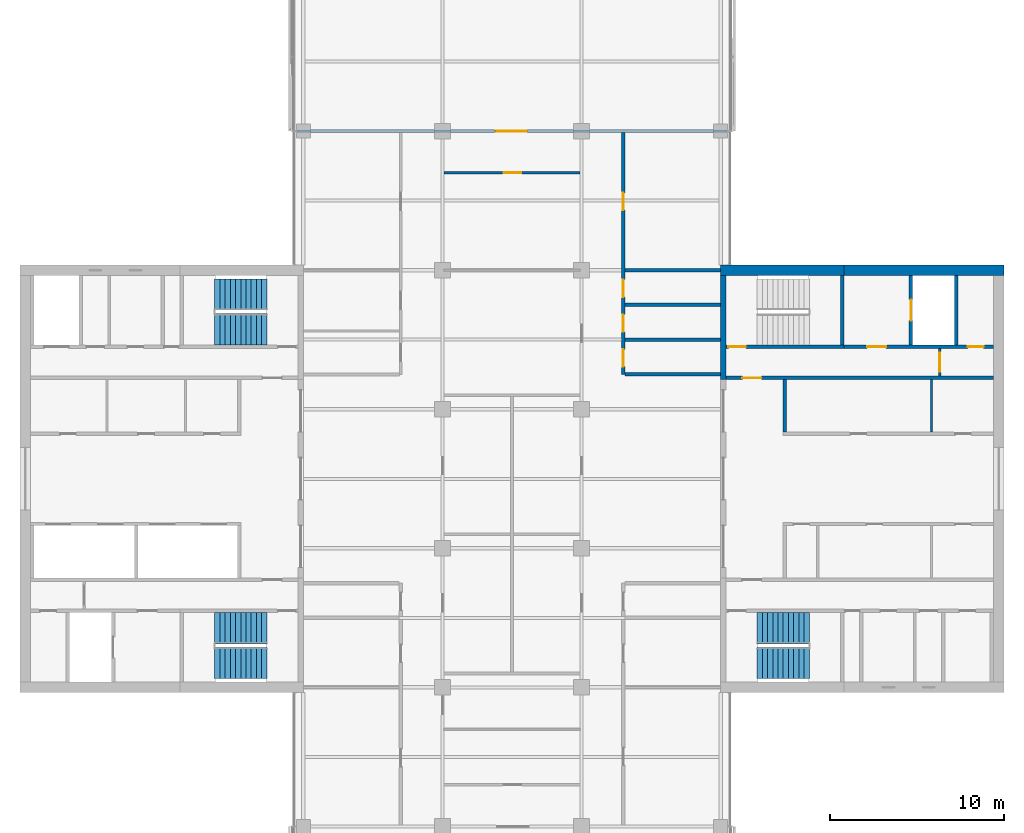
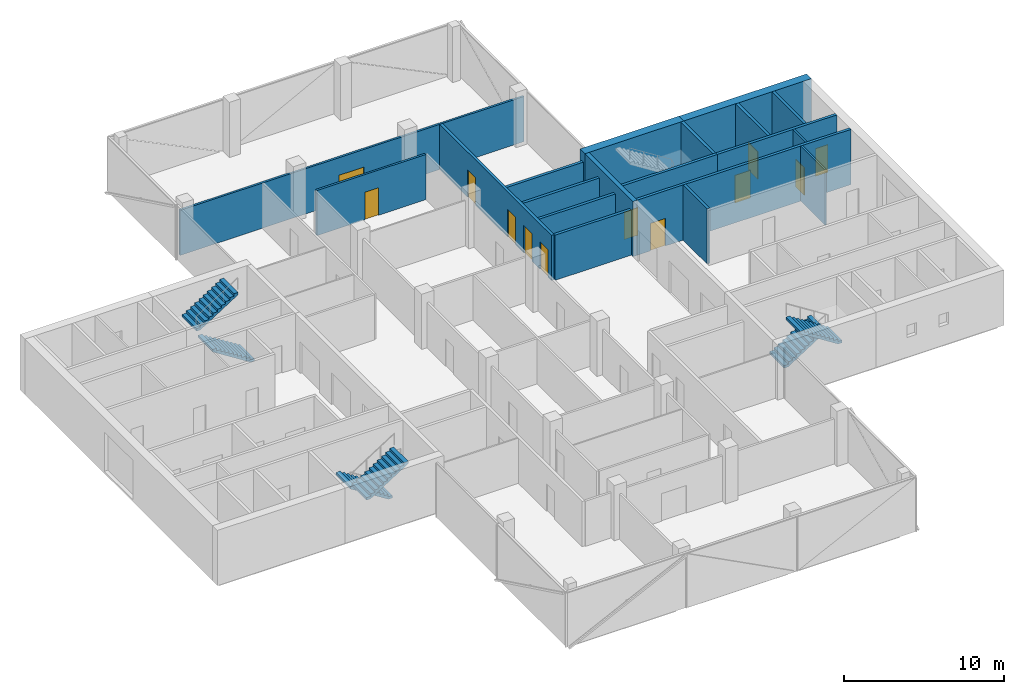
# One storey, part 12 of 16: 19 walls, 12 doors, 6 stair flights, 12 openings, 3 elements without a shape of their own.
"""IFC4 building model written with IfcOpenShell, lengths in metres."""

import ifcopenshell
import ifcopenshell.guid

model = None  # the IFC model being written
_history = None  # IfcOwnerHistory: only IFC2X3 demands one
_inside = {}  # id of a spatial element -> (the spatial element, [elements in it])
_under = {}  # id of a project, library or spatial element -> (it, [spatial elements below it])
_declared = {}  # id of a project -> (the project, [libraries it declares])
_typed = {}  # id of a type object -> (the type object, [elements of that type])
_made_of = {}  # id of a material, layer set ... -> (it, [elements and type objects made of it])


def new_model(schema):
    """Start an empty IFC model of exactly this schema.

    Asked for "IFC4X3", IfcOpenShell would pick the latest addendum, in which some entities
    have other attributes; the version numbers below select the first issue.
    IFC2X3 requires an IfcOwnerHistory on every rooted entity: one is made here for all.
    """
    global model, _history
    if schema == "IFC4X3":
        model = ifcopenshell.file(schema_version=(4, 3, 0, 0))
    else:
        model = ifcopenshell.file(schema=schema)
    _inside.clear()
    _under.clear()
    _declared.clear()
    _typed.clear()
    _made_of.clear()
    _history = None
    if model.schema == "IFC2X3":
        org = make("IfcOrganization", Name="unknown")
        user = make(
            "IfcPersonAndOrganization",
            ThePerson=make("IfcPerson", FamilyName="unknown"),
            TheOrganization=org,
        )
        app = make(
            "IfcApplication",
            ApplicationDeveloper=org,
            Version="unknown",
            ApplicationFullName="unknown",
            ApplicationIdentifier="unknown",
        )
        _history = make(
            "IfcOwnerHistory",
            OwningUser=user,
            OwningApplication=app,
            ChangeAction="ADDED",
            CreationDate=0,
        )
    return model


def make(cls, **values):
    """One entity of the class cls with the attributes given. An attribute that is None is left unset."""
    return model.create_entity(
        cls, **{name: value for name, value in values.items() if value is not None}
    )


def rooted(cls, **values):
    """An entity with a GlobalId (a new one), such as an element, a storey or a relation."""
    return make(cls, GlobalId=ifcopenshell.guid.new(), OwnerHistory=_history, **values)


def si_unit(unit_type, name, prefix=None):
    """IfcSIUnit, for example si_unit("LENGTHUNIT", "METRE", prefix="MILLI")."""
    return make("IfcSIUnit", UnitType=unit_type, Prefix=prefix, Name=name)


def assignment(units):
    """IfcUnitAssignment: the units of a project."""
    return None if units is None else make("IfcUnitAssignment", Units=units)


def point(xyz):
    """IfcCartesianPoint."""
    return None if xyz is None else make("IfcCartesianPoint", Coordinates=xyz)


def direction(xyz):
    """IfcDirection."""
    return None if xyz is None else make("IfcDirection", DirectionRatios=xyz)


def frame(location, z_axis=None, x_axis=None):
    """IfcAxis2Placement3D, a coordinate frame: its origin and axes. An axis left out is left unset."""
    return make(
        "IfcAxis2Placement3D",
        Location=point(location),
        Axis=direction(z_axis),
        RefDirection=direction(x_axis),
    )


def frame_2d(location, x_axis=None):
    """IfcAxis2Placement2D, a coordinate frame in the plane: its origin and x axis."""
    return make(
        "IfcAxis2Placement2D", Location=point(location), RefDirection=direction(x_axis)
    )


def origin():
    """The frame at (0, 0, 0) with its axes left unset."""
    return frame((0.0, 0.0, 0.0))


def place(relative_to, where):
    """IfcLocalPlacement: puts the frame where relative to a parent placement (None: the world)."""
    return make(
        "IfcLocalPlacement", PlacementRelTo=relative_to, RelativePlacement=where
    )


def context(
    kind, dimensions, precision=None, world=None, true_north=None, identifier=None
):
    """IfcGeometricRepresentationContext, for example the 3D "Model" context."""
    return make(
        "IfcGeometricRepresentationContext",
        ContextIdentifier=identifier,
        ContextType=kind,
        CoordinateSpaceDimension=dimensions,
        Precision=precision,
        WorldCoordinateSystem=world,
        TrueNorth=true_north,
    )


def subcontext(parent, identifier, kind, view, scale=None):
    """IfcGeometricRepresentationSubContext, for example "Body" below "Model"."""
    return make(
        "IfcGeometricRepresentationSubContext",
        ContextIdentifier=identifier,
        ContextType=kind,
        ParentContext=parent,
        TargetScale=scale,
        TargetView=view,
    )


def project(units=None, contexts=None):
    """IfcProject with its units and contexts."""
    return rooted(
        "IfcProject",
        Name="project",
        RepresentationContexts=contexts,
        UnitsInContext=assignment(units),
    )


def spatial(cls, under=None, at=None, **own):
    """A site, building, storey or space (cls), placed at a placement, below another one or the project."""
    s = rooted(cls, ObjectPlacement=at, **own)
    if under is not None:
        _under.setdefault(under.id(), (under, []))[1].append(s)
    return s


def polyline(points):
    """IfcPolyline through the points."""
    return make("IfcPolyline", Points=[point(p) for p in points])


def profile(cls, at=None, kind="AREA", **sizes):
    """A parametric profile (cls). Its sizes go by their IFC names, for example OverallWidth=200.0."""
    return make(cls, ProfileType=kind, Position=at, **sizes)


def rectangle(**sizes):
    """IfcRectangleProfileDef."""
    return profile("IfcRectangleProfileDef", **sizes)


def outline(outer, holes=None, kind="AREA"):
    """IfcArbitraryClosedProfileDef: a profile drawn as a closed curve; with holes, ...WithVoids."""
    if holes is None:
        return make("IfcArbitraryClosedProfileDef", ProfileType=kind, OuterCurve=outer)
    return make(
        "IfcArbitraryProfileDefWithVoids",
        ProfileType=kind,
        OuterCurve=outer,
        InnerCurves=holes,
    )


def extrude(swept, where, along, depth):
    """IfcExtrudedAreaSolid: the profile swept, set in the frame where, extruded along a direction by depth."""
    return make(
        "IfcExtrudedAreaSolid",
        SweptArea=swept,
        Position=where,
        ExtrudedDirection=direction(along),
        Depth=depth,
    )


def shape(context_of_items, identifier, shape_type, items):
    """IfcShapeRepresentation: the items that make up one representation, for example the "Body"."""
    return make(
        "IfcShapeRepresentation",
        ContextOfItems=context_of_items,
        RepresentationIdentifier=identifier,
        RepresentationType=shape_type,
        Items=items,
    )


def material(Name=None, Category=None):
    """IfcMaterial."""
    return make("IfcMaterial", Name=Name, Category=Category)


def layer(
    of_material, thickness, ventilated=None, Name=None, Category=None, Priority=None
):
    """IfcMaterialLayer: one layer of a wall or slab, of a material (None: an air gap)."""
    return make(
        "IfcMaterialLayer",
        Material=of_material,
        LayerThickness=thickness,
        IsVentilated=ventilated,
        Name=Name,
        Category=Category,
        Priority=Priority,
    )


def layer_set(layers, Name=None):
    """IfcMaterialLayerSet."""
    return make("IfcMaterialLayerSet", MaterialLayers=layers, LayerSetName=Name)


def constituent(of_material, Name=None, Category=None, fraction=None):
    """IfcMaterialConstituent: one of the materials an element consists of."""
    return make(
        "IfcMaterialConstituent",
        Name=Name,
        Material=of_material,
        Fraction=fraction,
        Category=Category,
    )


def constituent_set(constituents=None, Name=None):
    """IfcMaterialConstituentSet."""
    return make(
        "IfcMaterialConstituentSet", Name=Name, MaterialConstituents=constituents
    )


def made_of(thing, what):
    """Note that an element or type object is made of a material, layer set ...; save() writes the relation."""
    if what is not None:
        _made_of.setdefault(what.id(), (what, []))[1].append(thing)
    return thing


def type_object(cls, material=None, **own):
    """A type object (cls), such as IfcWallType, which elements share."""
    return made_of(rooted(cls, **own), material)


def element(
    cls,
    number,
    at=None,
    inside=None,
    cuts=None,
    type_object=None,
    material=None,
    context=None,
    identifier="Body",
    shape_type=None,
    held_by="IfcProductDefinitionShape",
    body=None,
    shapes=None,
    **own,
):
    """One element of the class cls, such as IfcWall. Its Tag is "e" and its number.

    at: its placement. inside: the storey or other place that contains it. cuts: it is an
    opening in that element (IfcRelVoidsElement). A single representation is given by context,
    identifier, shape_type and body (its items); several are given by shapes. held_by: the class
    of the entity that holds the representations. save() writes the other relations.
    """
    e = rooted(cls, Tag="e%d" % number, ObjectPlacement=at, **own)
    if body is not None:
        shapes = [shape(context, identifier, shape_type, body)]
    if shapes is not None:
        e.Representation = make(held_by, Representations=shapes)
    if inside is not None:
        _inside.setdefault(inside.id(), (inside, []))[1].append(e)
    if cuts is not None:
        rooted(
            "IfcRelVoidsElement", RelatingBuildingElement=cuts, RelatedOpeningElement=e
        )
    if type_object is not None:
        _typed.setdefault(type_object.id(), (type_object, []))[1].append(e)
    return made_of(e, material)


def fill(opening, filler):
    """IfcRelFillsElement: the door or window that sits in an opening."""
    return rooted(
        "IfcRelFillsElement",
        RelatingOpeningElement=opening,
        RelatedBuildingElement=filler,
    )


def aggregate(whole, parts):
    """IfcRelAggregates: a whole, such as a stair, and the parts it consists of."""
    return rooted("IfcRelAggregates", RelatingObject=whole, RelatedObjects=parts)


def save(model, path):
    """Write the relations noted so far, then the file.

    IfcRelAggregates (storeys below a building ...), IfcRelContainedInSpatialStructure (elements
    in a storey), IfcRelDefinesByType, IfcRelAssociatesMaterial and IfcRelDeclares: one each for
    every whole, place, type object, material and project.
    """
    for whole, parts in _under.values():
        aggregate(whole, parts)
    for where, things in _inside.values():
        rooted(
            "IfcRelContainedInSpatialStructure",
            RelatedElements=things,
            RelatingStructure=where,
        )
    for kind, things in _typed.values():
        rooted("IfcRelDefinesByType", RelatedObjects=things, RelatingType=kind)
    for what, things in _made_of.values():
        rooted("IfcRelAssociatesMaterial", RelatedObjects=things, RelatingMaterial=what)
    for by, libraries in _declared.values():
        rooted("IfcRelDeclares", RelatingContext=by, RelatedDefinitions=libraries)
    model.write(path)


model = new_model("IFC4")

# Units and contexts
model_context = context("Model", 3, precision=1e-05, world=origin(), true_north=direction((0.0, 1.0)))
body_context = subcontext(model_context, "Body", "Model", "MODEL_VIEW")
ifc_project = project(units=[si_unit("LENGTHUNIT", "METRE"), si_unit("AREAUNIT", "SQUARE_METRE"), si_unit("VOLUMEUNIT", "CUBIC_METRE"), si_unit("PLANEANGLEUNIT", "RADIAN"), si_unit("MASSUNIT", "GRAM", prefix="KILO")], contexts=[model_context])

# Site, building, storey
site_placement = place(None, origin())
site = spatial("IfcSite", under=ifc_project, at=site_placement, CompositionType="ELEMENT")
building_placement = place(site_placement, origin())
building = spatial("IfcBuilding", under=site, at=building_placement, Name="Crosswind Convention Tower", CompositionType="ELEMENT")
storey_placement = place(building_placement, frame((0.0, 0.0, 212.5)))
storey = spatial("IfcBuildingStorey", under=building, at=storey_placement, Name="L45", CompositionType="ELEMENT", Elevation=212.5)

# Wall, openings, doors
ifc_material_1 = material(Name="Concrete blockwork", Category="masonry")
ifc_layer_1 = layer(ifc_material_1, 0.199951171875)
ifc_layer_set_1 = layer_set([ifc_layer_1], Name="COMPARTMENT WALL 200 BLOCKWORK")
wall_type_1 = type_object("IfcWallType", Name="COMPARTMENT WALL 200 BLOCKWORK", PredefinedType="SOLIDWALL", material=ifc_layer_set_1)
wall_1_placement = place(storey_placement, frame((131.39990234375, 106.0, 0.0), z_axis=(0.0, 0.0, 1.0), x_axis=(0.0, 1.0, 0.0)))
wall_1 = element("IfcWall", 1, at=wall_1_placement, inside=storey, type_object=wall_type_1, Name="Compartment wall WT42", PredefinedType="SOLIDWALL", context=body_context, shape_type="SweptSolid", body=[
    extrude(rectangle(XDim=13.925048828125, YDim=0.199951171875, at=frame_2d((6.96240234375, 0.0))), origin(), (0.0, 0.0, 1.0), 3.439697265625),
])
opening_1_placement = place(wall_1_placement, frame((0.449951171875, 0.0, 0.0)))
opening_1 = element("IfcOpeningElement", 2, at=opening_1_placement, cuts=wall_1, Name="Opening L45-50", PredefinedType="OPENING", context=body_context, shape_type="SweptSolid", body=[
    extrude(rectangle(XDim=1.0, YDim=2.10009765625, at=frame_2d((0.5, 1.050048828125))), frame((0.0, 0.10986328125, 0.0), z_axis=(0.0, -1.0, 0.0), x_axis=(1.0, 0.0, 0.0)), (0.0, 0.0, 1.0), 0.219970703125),
])
opening_2_placement = place(wall_1_placement, frame((2.449951171875, 0.0, 0.0)))
opening_2 = element("IfcOpeningElement", 3, at=opening_2_placement, cuts=wall_1, Name="Opening L45-51", PredefinedType="OPENING", context=body_context, shape_type="SweptSolid", body=[
    extrude(rectangle(XDim=1.0, YDim=2.10009765625, at=frame_2d((0.5, 1.050048828125))), frame((0.0, 0.10986328125, 0.0), z_axis=(0.0, -1.0, 0.0), x_axis=(1.0, 0.0, 0.0)), (0.0, 0.0, 1.0), 0.219970703125),
])
opening_3_placement = place(wall_1_placement, frame((4.449951171875, 0.0, 0.0)))
opening_3 = element("IfcOpeningElement", 4, at=opening_3_placement, cuts=wall_1, Name="Opening L45-52", PredefinedType="OPENING", context=body_context, shape_type="SweptSolid", body=[
    extrude(rectangle(XDim=1.0, YDim=2.10009765625, at=frame_2d((0.5, 1.050048828125))), frame((0.0, 0.10986328125, 0.0), z_axis=(0.0, -1.0, 0.0), x_axis=(1.0, 0.0, 0.0)), (0.0, 0.0, 1.0), 0.219970703125),
])
opening_4_placement = place(wall_1_placement, frame((9.449951171875, 0.0, 0.0)))
opening_4 = element("IfcOpeningElement", 5, at=opening_4_placement, cuts=wall_1, Name="Opening L45-53", PredefinedType="OPENING", context=body_context, shape_type="SweptSolid", body=[
    extrude(rectangle(XDim=1.0, YDim=2.10009765625, at=frame_2d((0.5, 1.050048828125))), frame((0.0, 0.10986328125, 0.0), z_axis=(0.0, -1.0, 0.0), x_axis=(1.0, 0.0, 0.0)), (0.0, 0.0, 1.0), 0.219970703125),
])
ifc_material_2 = material(Name="Steel fire door", Category="steel")
door_type_1 = type_object("IfcDoorType", Name="PLANT ROOM DOOR 1000X2100 FD60", OperationType="NOTDEFINED", PredefinedType="DOOR", material=ifc_material_2)
door_1_placement = place(opening_1_placement, frame((1.0, 0.0, 0.0), z_axis=(0.0, 0.0, 1.0), x_axis=(-1.0, 0.0, 0.0)))
door_1 = element("IfcDoor", 6, at=door_1_placement, inside=storey, type_object=door_type_1, Name="Door L45-50", ObjectType="D43", OperationType="SINGLE_SWING_RIGHT", OverallHeight=2.10009765625, OverallWidth=1.0, PredefinedType="DOOR", context=body_context, shape_type="SweptSolid", body=[
    extrude(rectangle(XDim=1.0, YDim=2.10009765625, at=frame_2d((0.5, 1.050048828125))), frame((0.0, 0.02490234375, 0.0), z_axis=(0.0, -1.0, 0.0), x_axis=(1.0, 0.0, 0.0)), (0.0, 0.0, 1.0), 0.050048828125),
])
fill(opening_1, door_1)
door_2_placement = place(opening_3_placement, frame((1.0, 0.0, 0.0), z_axis=(0.0, 0.0, 1.0), x_axis=(-1.0, 0.0, 0.0)))
door_2 = element("IfcDoor", 7, at=door_2_placement, inside=storey, type_object=door_type_1, Name="Door L45-52", ObjectType="D43", OperationType="SINGLE_SWING_RIGHT", OverallHeight=2.10009765625, OverallWidth=1.0, PredefinedType="DOOR", context=body_context, shape_type="SweptSolid", body=[
    extrude(rectangle(XDim=1.0, YDim=2.10009765625, at=frame_2d((0.5, 1.050048828125))), frame((0.0, 0.02490234375, 0.0), z_axis=(0.0, -1.0, 0.0), x_axis=(1.0, 0.0, 0.0)), (0.0, 0.0, 1.0), 0.050048828125),
])
fill(opening_3, door_2)
ifc_material_3 = material(Name="Timber fire door", Category="wood")
door_type_2 = type_object("IfcDoorType", Name="TENANCY ENTRANCE DOOR 1000X2100 FD30S", OperationType="NOTDEFINED", PredefinedType="DOOR", material=ifc_material_3)
door_3_placement = place(opening_2_placement, frame((1.0, 0.0, 0.0), z_axis=(0.0, 0.0, 1.0), x_axis=(-1.0, 0.0, 0.0)))
door_3 = element("IfcDoor", 8, at=door_3_placement, inside=storey, type_object=door_type_2, Name="Door L45-51", ObjectType="D41", OperationType="SINGLE_SWING_RIGHT", OverallHeight=2.10009765625, OverallWidth=1.0, PredefinedType="DOOR", context=body_context, shape_type="SweptSolid", body=[
    extrude(rectangle(XDim=1.0, YDim=2.10009765625, at=frame_2d((0.5, 1.050048828125))), frame((0.0, 0.02490234375, 0.0), z_axis=(0.0, -1.0, 0.0), x_axis=(1.0, 0.0, 0.0)), (0.0, 0.0, 1.0), 0.050048828125),
])
fill(opening_2, door_3)
door_4_placement = place(opening_4_placement, frame((1.0, 0.0, 0.0), z_axis=(0.0, 0.0, 1.0), x_axis=(-1.0, 0.0, 0.0)))
door_4 = element("IfcDoor", 9, at=door_4_placement, inside=storey, type_object=door_type_2, Name="Door L45-53", ObjectType="D41", OperationType="SINGLE_SWING_RIGHT", OverallHeight=2.10009765625, OverallWidth=1.0, PredefinedType="DOOR", context=body_context, shape_type="SweptSolid", body=[
    extrude(rectangle(XDim=1.0, YDim=2.10009765625, at=frame_2d((0.5, 1.050048828125))), frame((0.0, 0.02490234375, 0.0), z_axis=(0.0, -1.0, 0.0), x_axis=(1.0, 0.0, 0.0)), (0.0, 0.0, 1.0), 0.050048828125),
])
fill(opening_4, door_4)

# Walls
for number, where, z_axis, x_axis, name in (
    (10, (131.5, 106.0, 0.0), (0.0, 0.0, 1.0), (1.0, 0.0, 0.0), "Compartment wall WT42"),
    (11, (131.5, 108.0, 0.0), (0.0, 0.0, 1.0), (1.0, 0.0, 0.0), "Compartment wall WT42"),
    (12, (131.5, 110.0, 0.0), (0.0, 0.0, 1.0), (1.0, 0.0, 0.0), "Compartment wall WT42"),
    (13, (131.5, 112.0, 0.0), (0.0, 0.0, 1.0), (1.0, 0.0, 0.0), "Compartment wall WT42"),
):
    element("IfcWall", number, at=place(storey_placement, frame(where, z_axis=z_axis, x_axis=x_axis)), inside=storey, type_object=wall_type_1, Name=name, PredefinedType="SOLIDWALL", context=body_context, shape_type="SweptSolid", body=[
        extrude(rectangle(XDim=5.5, YDim=0.199951171875, at=frame_2d((2.75, 0.0))), origin(), (0.0, 0.0, 1.0), 3.439697265625),
    ])
ifc_material_4 = material(Name="Concrete C50/60", Category="concrete")
ifc_layer_2 = layer(ifc_material_4, 0.300048828125)
ifc_layer_set_2 = layer_set([ifc_layer_2], Name="Concrete C50/60")
wall_type_2 = type_object("IfcWallType", Name="Concrete inner core wall 300", PredefinedType="SHEAR", material=ifc_layer_set_2)
wall_2_placement = place(storey_placement, frame((137.14990234375, 105.699951171875, 0.0), z_axis=(0.0, 0.0, 1.0), x_axis=(0.0, 1.0, 0.0)))
element("IfcWall", 14, at=wall_2_placement, inside=storey, type_object=wall_type_2, Name="Wall EP E L45", PredefinedType="SHEAR", context=body_context, shape_type="SweptSolid", body=[
    extrude(rectangle(XDim=6.0, YDim=0.300048828125, at=frame_2d((3.0, 0.0))), origin(), (0.0, 0.0, 1.0), 4.199951171875),
])
ifc_layer_3 = layer(ifc_material_4, 0.199951171875)
ifc_layer_set_3 = layer_set([ifc_layer_3], Name="Concrete C50/60")
wall_type_3 = type_object("IfcWallType", Name="Concrete shaft and stair wall 200", PredefinedType="SHEAR", material=ifc_layer_set_3)
wall_3_placement = place(storey_placement, frame((140.699951171875, 102.699951171875, 0.0), z_axis=(0.0, 0.0, 1.0), x_axis=(0.0, 1.0, 0.0)))
element("IfcWall", 15, at=wall_3_placement, inside=storey, type_object=wall_type_3, Name="Wall RPEND E L45", PredefinedType="SHEAR", context=body_context, shape_type="SweptSolid", body=[
    extrude(rectangle(XDim=3.0, YDim=0.199951171875, at=frame_2d((1.5, 0.0))), origin(), (0.0, 0.0, 1.0), 4.199951171875),
])

# Wall, opening, door
wall_4_placement = place(storey_placement, frame((137.300048828125, 105.800048828125, 0.0), z_axis=(0.0, 0.0, 1.0), x_axis=(1.0, 0.0, 0.0)))
wall_4 = element("IfcWall", 16, at=wall_4_placement, inside=storey, type_object=wall_type_3, Name="Wall HP E L45", PredefinedType="SHEAR", context=body_context, shape_type="SweptSolid", body=[
    extrude(rectangle(XDim=15.39990234375, YDim=0.199951171875, at=frame_2d((7.699951171875, 0.0))), origin(), (0.0, 0.0, 1.0), 4.199951171875),
])
opening_5_placement = place(wall_4_placement, frame((0.949951171875, 0.0, 0.0)))
opening_5 = element("IfcOpeningElement", 17, at=opening_5_placement, cuts=wall_4, Name="Opening D104", PredefinedType="OPENING", context=body_context, shape_type="SweptSolid", body=[
    extrude(rectangle(XDim=1.10009765625, YDim=2.10009765625, at=frame_2d((0.550048828125, 1.050048828125))), frame((0.0, 0.10986328125, 0.0), z_axis=(0.0, -1.0, 0.0), x_axis=(1.0, 0.0, 0.0)), (0.0, 0.0, 1.0), 0.219970703125),
])
door_type_3 = type_object("IfcDoorType", Name="Fire-rated single door 1100x2100", OperationType="NOTDEFINED", PredefinedType="DOOR", material=ifc_material_2)
door_5_placement = place(opening_5_placement, origin())
door_5 = element("IfcDoor", 18, at=door_5_placement, inside=storey, type_object=door_type_3, Name="Corridor door L45", ObjectType="D104", OperationType="SINGLE_SWING_LEFT", OverallHeight=2.10009765625, OverallWidth=1.10009765625, PredefinedType="DOOR", context=body_context, shape_type="SweptSolid", body=[
    extrude(rectangle(XDim=1.10009765625, YDim=2.10009765625, at=frame_2d((0.550048828125, 1.050048828125))), frame((0.0, 0.02490234375, 0.0), z_axis=(0.0, -1.0, 0.0), x_axis=(1.0, 0.0, 0.0)), (0.0, 0.0, 1.0), 0.050048828125),
])
fill(opening_5, door_5)

# Wall
wall_5_placement = place(storey_placement, frame((144.0, 107.699951171875, 0.0), z_axis=(0.0, 0.0, 1.0), x_axis=(0.0, 1.0, 0.0)))
element("IfcWall", 19, at=wall_5_placement, inside=storey, type_object=wall_type_3, Name="Wall PSE E L45", PredefinedType="SHEAR", context=body_context, shape_type="SweptSolid", body=[
    extrude(rectangle(XDim=4.0, YDim=0.199951171875, at=frame_2d((2.0, 0.0))), origin(), (0.0, 0.0, 1.0), 4.199951171875),
])

# Wall, opening, door
wall_6_placement = place(storey_placement, frame((147.949951171875, 107.699951171875, 0.0), z_axis=(0.0, 0.0, 1.0), x_axis=(0.0, 1.0, 0.0)))
wall_6 = element("IfcWall", 20, at=wall_6_placement, inside=storey, type_object=wall_type_3, Name="Wall PFLW E L45", PredefinedType="SHEAR", context=body_context, shape_type="SweptSolid", body=[
    extrude(rectangle(XDim=4.0, YDim=0.199951171875, at=frame_2d((2.0, 0.0))), origin(), (0.0, 0.0, 1.0), 4.199951171875),
])
opening_6_placement = place(wall_6_placement, frame((1.39990234375, 0.0, 0.0)))
opening_6 = element("IfcOpeningElement", 21, at=opening_6_placement, cuts=wall_6, Name="Opening LD1", PredefinedType="OPENING", context=body_context, shape_type="SweptSolid", body=[
    extrude(rectangle(XDim=1.199951171875, YDim=2.10009765625, at=frame_2d((0.60009765625, 1.050048828125))), frame((0.0, 0.10986328125, 0.0), z_axis=(0.0, -1.0, 0.0), x_axis=(1.0, 0.0, 0.0)), (0.0, 0.0, 1.0), 0.219970703125),
])
ifc_material_5 = material(Name="Stainless steel", Category="steel")
door_type_4 = type_object("IfcDoorType", Name="Lift landing door 1200x2100", OperationType="DOUBLE_DOOR_SLIDING", PredefinedType="DOOR", material=ifc_material_5)
door_6_placement = place(opening_6_placement, origin())
door_6 = element("IfcDoor", 22, at=door_6_placement, inside=storey, type_object=door_type_4, Name="Landing door FF1 L45", ObjectType="LD1", OperationType="DOUBLE_DOOR_SLIDING", OverallHeight=2.10009765625, OverallWidth=1.199951171875, PredefinedType="DOOR", context=body_context, shape_type="SweptSolid", body=[
    extrude(rectangle(XDim=1.199951171875, YDim=2.10009765625, at=frame_2d((0.60009765625, 1.050048828125))), frame((0.0, 0.02490234375, 0.0), z_axis=(0.0, -1.0, 0.0), x_axis=(1.0, 0.0, 0.0)), (0.0, 0.0, 1.0), 0.050048828125),
])
fill(opening_6, door_6)

# Wall
wall_7_placement = place(storey_placement, frame((150.550048828125, 107.699951171875, 0.0), z_axis=(0.0, 0.0, 1.0), x_axis=(0.0, 1.0, 0.0)))
element("IfcWall", 23, at=wall_7_placement, inside=storey, type_object=wall_type_3, Name="Wall PFSE E L45", PredefinedType="SHEAR", context=body_context, shape_type="SweptSolid", body=[
    extrude(rectangle(XDim=4.0, YDim=0.199951171875, at=frame_2d((2.0, 0.0))), origin(), (0.0, 0.0, 1.0), 4.199951171875),
])

# Wall, opening, door
wall_8_placement = place(storey_placement, frame((137.300048828125, 107.60009765625, 0.0), z_axis=(0.0, 0.0, 1.0), x_axis=(1.0, 0.0, 0.0)))
wall_8 = element("IfcWall", 24, at=wall_8_placement, inside=storey, type_object=wall_type_3, Name="Wall PCW E L45", PredefinedType="SHEAR", context=body_context, shape_type="SweptSolid", body=[
    extrude(rectangle(XDim=6.800048828125, YDim=0.199951171875, at=frame_2d((3.39990234375, 0.0))), origin(), (0.0, 0.0, 1.0), 4.199951171875),
])
opening_7_placement = place(wall_8_placement, frame((0.14990234375, 0.0, 0.0)))
opening_7 = element("IfcOpeningElement", 25, at=opening_7_placement, cuts=wall_8, Name="Opening D103", PredefinedType="OPENING", context=body_context, shape_type="SweptSolid", body=[
    extrude(rectangle(XDim=1.0, YDim=2.10009765625, at=frame_2d((0.5, 1.050048828125))), frame((0.0, 0.10986328125, 0.0), z_axis=(0.0, -1.0, 0.0), x_axis=(1.0, 0.0, 0.0)), (0.0, 0.0, 1.0), 0.219970703125),
])
door_type_5 = type_object("IfcDoorType", Name="Fire-rated single door 1000x2100", OperationType="NOTDEFINED", PredefinedType="DOOR", material=ifc_material_2)
door_7_placement = place(opening_7_placement, origin())
door_7 = element("IfcDoor", 26, at=door_7_placement, inside=storey, type_object=door_type_5, Name="Stair ST1 door L45", ObjectType="D103", OperationType="SINGLE_SWING_LEFT", OverallHeight=2.10009765625, OverallWidth=1.0, PredefinedType="DOOR", context=body_context, shape_type="SweptSolid", body=[
    extrude(rectangle(XDim=1.0, YDim=2.10009765625, at=frame_2d((0.5, 1.050048828125))), frame((0.0, 0.02490234375, 0.0), z_axis=(0.0, -1.0, 0.0), x_axis=(1.0, 0.0, 0.0)), (0.0, 0.0, 1.0), 0.050048828125),
])
fill(opening_7, door_7)

# Wall, openings, doors
wall_9_placement = place(storey_placement, frame((144.10009765625, 107.60009765625, 0.0), z_axis=(0.0, 0.0, 1.0), x_axis=(1.0, 0.0, 0.0)))
wall_9 = element("IfcWall", 27, at=wall_9_placement, inside=storey, type_object=wall_type_3, Name="Wall PCX E L45", PredefinedType="SHEAR", context=body_context, shape_type="SweptSolid", body=[
    extrude(rectangle(XDim=8.599853515625, YDim=0.199951171875, at=frame_2d((4.2998046875, 0.0))), origin(), (0.0, 0.0, 1.0), 4.199951171875),
])
opening_8_placement = place(wall_9_placement, frame((1.324951171875, 0.0, 0.0)))
opening_8 = element("IfcOpeningElement", 28, at=opening_8_placement, cuts=wall_9, Name="Opening D104", PredefinedType="OPENING", context=body_context, shape_type="SweptSolid", body=[
    extrude(rectangle(XDim=1.10009765625, YDim=2.10009765625, at=frame_2d((0.550048828125, 1.050048828125))), frame((0.0, 0.10986328125, 0.0), z_axis=(0.0, -1.0, 0.0), x_axis=(1.0, 0.0, 0.0)), (0.0, 0.0, 1.0), 0.219970703125),
])
opening_9_placement = place(wall_9_placement, frame((7.125, 0.0, 0.0)))
opening_9 = element("IfcOpeningElement", 29, at=opening_9_placement, cuts=wall_9, Name="Opening D106", PredefinedType="OPENING", context=body_context, shape_type="SweptSolid", body=[
    extrude(rectangle(XDim=0.89990234375, YDim=2.10009765625, at=frame_2d((0.449951171875, 1.050048828125))), frame((0.0, 0.10986328125, 0.0), z_axis=(0.0, -1.0, 0.0), x_axis=(1.0, 0.0, 0.0)), (0.0, 0.0, 1.0), 0.219970703125),
])
door_8_placement = place(opening_8_placement, origin())
door_8 = element("IfcDoor", 30, at=door_8_placement, inside=storey, type_object=door_type_3, Name="Fire-fighting lobby FF1 door L45", ObjectType="D104", OperationType="SINGLE_SWING_RIGHT", OverallHeight=2.10009765625, OverallWidth=1.10009765625, PredefinedType="DOOR", context=body_context, shape_type="SweptSolid", body=[
    extrude(rectangle(XDim=1.10009765625, YDim=2.10009765625, at=frame_2d((0.550048828125, 1.050048828125))), frame((0.0, 0.02490234375, 0.0), z_axis=(0.0, -1.0, 0.0), x_axis=(1.0, 0.0, 0.0)), (0.0, 0.0, 1.0), 0.050048828125),
])
fill(opening_8, door_8)
ifc_material_6 = material(Name="Timber door", Category="wood")
door_type_6 = type_object("IfcDoorType", Name="Single leaf door 900x2100", OperationType="NOTDEFINED", PredefinedType="DOOR", material=ifc_material_6)
door_9_placement = place(opening_9_placement, origin())
door_9 = element("IfcDoor", 31, at=door_9_placement, inside=storey, type_object=door_type_6, Name="Door to telecoms room L45", ObjectType="D106", OperationType="SINGLE_SWING_RIGHT", OverallHeight=2.10009765625, OverallWidth=0.89990234375, PredefinedType="DOOR", context=body_context, shape_type="SweptSolid", body=[
    extrude(rectangle(XDim=0.89990234375, YDim=2.10009765625, at=frame_2d((0.449951171875, 1.050048828125))), frame((0.0, 0.02490234375, 0.0), z_axis=(0.0, -1.0, 0.0), x_axis=(1.0, 0.0, 0.0)), (0.0, 0.0, 1.0), 0.050048828125),
])
fill(opening_9, door_9)

# Wall
ifc_material_7 = material(Name="Gypsum plasterboard partition", Category="gypsum")
ifc_layer_4 = layer(ifc_material_7, 0.125)
ifc_layer_set_4 = layer_set([ifc_layer_4], Name="Drywall partition wall 125")
wall_type_4 = type_object("IfcWallType", Name="Drywall partition wall 125", PredefinedType="PARTITIONING", material=ifc_layer_set_4)
wall_10_placement = place(storey_placement, frame((149.1298828125, 102.699951171875, 0.0), z_axis=(0.0, 0.0, 1.0), x_axis=(0.0, 1.0, 0.0)))
element("IfcWall", 32, at=wall_10_placement, inside=storey, type_object=wall_type_4, Name="Wall RPP1 E L45", PredefinedType="PARTITIONING", context=body_context, shape_type="SweptSolid", body=[
    extrude(rectangle(XDim=3.0, YDim=0.125, at=frame_2d((1.5, 0.0))), origin(), (0.0, 0.0, 1.0), 4.199951171875),
])

# Wall, opening, door
wall_11_placement = place(storey_placement, frame((149.60009765625, 105.89990234375, 0.0), z_axis=(0.0, 0.0, 1.0), x_axis=(0.0, 1.0, 0.0)))
wall_11 = element("IfcWall", 33, at=wall_11_placement, inside=storey, type_object=wall_type_4, Name="Wall PXC1 E L45", PredefinedType="PARTITIONING", context=body_context, shape_type="SweptSolid", body=[
    extrude(rectangle(XDim=1.60009765625, YDim=0.125, at=frame_2d((0.800048828125, 0.0))), origin(), (0.0, 0.0, 1.0), 4.199951171875),
])
opening_10_placement = place(wall_11_placement, frame((0.25, 0.0, 0.0)))
opening_10 = element("IfcOpeningElement", 34, at=opening_10_placement, cuts=wall_11, Name="Opening D104", PredefinedType="OPENING", context=body_context, shape_type="SweptSolid", body=[
    extrude(rectangle(XDim=1.10009765625, YDim=2.10009765625, at=frame_2d((0.550048828125, 1.050048828125))), frame((0.0, 0.072509765625, 0.0), z_axis=(0.0, -1.0, 0.0), x_axis=(1.0, 0.0, 0.0)), (0.0, 0.0, 1.0), 0.14501953125),
])
door_10_placement = place(opening_10_placement, origin())
door_10 = element("IfcDoor", 35, at=door_10_placement, inside=storey, type_object=door_type_3, Name="Corridor smoke door L45", ObjectType="D104", OperationType="SINGLE_SWING_RIGHT", OverallHeight=2.10009765625, OverallWidth=1.10009765625, PredefinedType="DOOR", context=body_context, shape_type="SweptSolid", body=[
    extrude(rectangle(XDim=1.10009765625, YDim=2.10009765625, at=frame_2d((0.550048828125, 1.050048828125))), frame((0.0, 0.02490234375, 0.0), z_axis=(0.0, -1.0, 0.0), x_axis=(1.0, 0.0, 0.0)), (0.0, 0.0, 1.0), 0.050048828125),
])
fill(opening_10, door_10)

ifc_material_8 = material(Name="Fire-board partition with mineral wool", Category="gypsum")
ifc_layer_5 = layer(ifc_material_8, 0.14990234375)
ifc_layer_set_5 = layer_set([ifc_layer_5], Name="TENANCY WALL 150 TWO-HOUR BOARD")
wall_type_5 = type_object("IfcWallType", Name="TENANCY WALL 150 TWO-HOUR BOARD", PredefinedType="PARTITIONING", material=ifc_layer_set_5)
wall_12_placement = place(storey_placement, frame((121.074951171875, 117.60009765625, 0.0), z_axis=(0.0, 0.0, 1.0), x_axis=(1.0, 0.0, 0.0)))
wall_12 = element("IfcWall", 36, at=wall_12_placement, inside=storey, type_object=wall_type_5, Name="Tenancy wall WT41", PredefinedType="PARTITIONING", context=body_context, shape_type="SweptSolid", body=[
    extrude(rectangle(XDim=7.85009765625, YDim=0.14990234375, at=frame_2d((3.925048828125, 0.0))), origin(), (0.0, 0.0, 1.0), 3.439697265625),
])
opening_11_placement = place(wall_12_placement, frame((3.449951171875, 0.0, 0.0)))
opening_11 = element("IfcOpeningElement", 37, at=opening_11_placement, cuts=wall_12, Name="Opening L45-72", PredefinedType="OPENING", context=body_context, shape_type="SweptSolid", body=[
    extrude(rectangle(XDim=1.0, YDim=2.10009765625, at=frame_2d((0.5, 1.050048828125))), frame((0.0, 0.0849609375, 0.0), z_axis=(0.0, -1.0, 0.0), x_axis=(1.0, 0.0, 0.0)), (0.0, 0.0, 1.0), 0.169921875),
])
door_11_placement = place(opening_11_placement, frame((1.0, 0.0, 0.0), z_axis=(0.0, 0.0, 1.0), x_axis=(-1.0, 0.0, 0.0)))
door_11 = element("IfcDoor", 38, at=door_11_placement, inside=storey, type_object=door_type_2, Name="Door L45-72", ObjectType="D41", OperationType="SINGLE_SWING_LEFT", OverallHeight=2.10009765625, OverallWidth=1.0, PredefinedType="DOOR", context=body_context, shape_type="SweptSolid", body=[
    extrude(rectangle(XDim=1.0, YDim=2.10009765625, at=frame_2d((0.5, 1.050048828125))), frame((0.0, 0.02490234375, 0.0), z_axis=(0.0, -1.0, 0.0), x_axis=(1.0, 0.0, 0.0)), (0.0, 0.0, 1.0), 0.050048828125),
])
fill(opening_11, door_11)

wall_13_placement = place(storey_placement, frame((112.6298828125, 120.0, 0.0), z_axis=(0.0, 0.0, 1.0), x_axis=(1.0, 0.0, 0.0)))
wall_13 = element("IfcWall", 39, at=wall_13_placement, inside=storey, type_object=wall_type_5, Name="Tenancy wall WT41", PredefinedType="PARTITIONING", context=body_context, shape_type="SweptSolid", body=[
    extrude(rectangle(XDim=24.740234375, YDim=0.14990234375, at=frame_2d((12.3701171875, 0.0))), origin(), (0.0, 0.0, 1.0), 3.439697265625),
])
opening_12_placement = place(wall_13_placement, frame((11.419921875, 0.0, 0.0)))
opening_12 = element("IfcOpeningElement", 40, at=opening_12_placement, cuts=wall_13, Name="Opening L45-63", PredefinedType="OPENING", context=body_context, shape_type="SweptSolid", body=[
    extrude(rectangle(XDim=1.800048828125, YDim=2.10009765625, at=frame_2d((0.89990234375, 1.050048828125))), frame((0.0, 0.0849609375, 0.0), z_axis=(0.0, -1.0, 0.0), x_axis=(1.0, 0.0, 0.0)), (0.0, 0.0, 1.0), 0.169921875),
])
door_type_7 = type_object("IfcDoorType", Name="TENANCY ENTRANCE DOUBLE DOOR 1800X2100 FD30S", OperationType="DOUBLE_DOOR_SINGLE_SWING", PredefinedType="DOOR", material=ifc_material_3)
door_12_placement = place(opening_12_placement, origin())
door_12 = element("IfcDoor", 41, at=door_12_placement, inside=storey, type_object=door_type_7, Name="Door L45-63", ObjectType="D42", OperationType="DOUBLE_DOOR_SINGLE_SWING", OverallHeight=2.10009765625, OverallWidth=1.800048828125, PredefinedType="DOOR", context=body_context, shape_type="SweptSolid", body=[
    extrude(rectangle(XDim=1.800048828125, YDim=2.10009765625, at=frame_2d((0.89990234375, 1.050048828125))), frame((0.0, 0.02490234375, 0.0), z_axis=(0.0, -1.0, 0.0), x_axis=(1.0, 0.0, 0.0)), (0.0, 0.0, 1.0), 0.050048828125),
])
fill(opening_12, door_12)

# Walls
ifc_material_9 = material(Name="Concrete C60/75", Category="concrete")
ifc_constituent_1 = constituent(ifc_material_9, Name="Structure")
ifc_material_10 = material(Name="Terracotta rainscreen", Category="ceramic")
ifc_constituent_2 = constituent(ifc_material_10, Name="Facing")
ifc_constituent_set = constituent_set(constituents=[ifc_constituent_1, ifc_constituent_2], Name="Concrete C60/75, Terracotta rainscreen")
wall_type_6 = type_object("IfcWallType", Name="Terracotta rainscreen on concrete core wall 600", PredefinedType="SHEAR", material=ifc_constituent_set)
wall_14_placement = place(storey_placement, frame((137.0, 112.0, 0.0), z_axis=(0.0, 0.0, 1.0), x_axis=(1.0, 0.0, 0.0)))
element("IfcWall", 42, at=wall_14_placement, inside=storey, type_object=wall_type_6, Name="Wall N1 E L45", PredefinedType="SHEAR", context=body_context, shape_type="SweptSolid", body=[
    extrude(rectangle(XDim=7.10009765625, YDim=0.60009765625, at=frame_2d((3.550048828125, 0.0))), origin(), (0.0, 0.0, 1.0), 4.199951171875),
])
wall_15_placement = place(storey_placement, frame((144.10009765625, 112.0, 0.0), z_axis=(0.0, 0.0, 1.0), x_axis=(1.0, 0.0, 0.0)))
element("IfcWall", 43, at=wall_15_placement, inside=storey, type_object=wall_type_6, Name="Wall N2 E L45", PredefinedType="SHEAR", context=body_context, shape_type="SweptSolid", body=[
    extrude(rectangle(XDim=9.199951171875, YDim=0.60009765625, at=frame_2d((4.60009765625, 0.0))), origin(), (0.0, 0.0, 1.0), 4.199951171875),
])

# Stair, stair flights
ifc_material_11 = material(Name="Concrete C40/50", Category="concrete")
stair_type = type_object("IfcStairType", Name="Exit stair 1800 wide, 2 flights of 11 risers", PredefinedType="HALF_TURN_STAIR", material=ifc_material_11)
stair_1_placement = place(storey_placement, origin())
stair_1 = element("IfcStair", 44, at=stair_1_placement, inside=storey, type_object=stair_type, Name="Exit stair ST2 L45", ObjectType="ST5", PredefinedType="HALF_TURN_STAIR")
stair_flight_type = type_object("IfcStairFlightType", Name="Stair flight 1800 wide, 11 risers (SF4)", PredefinedType="STRAIGHT", material=ifc_material_11)
stair_flight_1_placement = place(storey_placement, frame((139.10009765625, 91.39990234375, 0.0), z_axis=(0.0, 0.0, 1.0), x_axis=(1.0, 0.0, 0.0)))
stair_flight_1 = element("IfcStairFlight", 45, at=stair_flight_1_placement, type_object=stair_flight_type, Name="ST2 flight 1", NumberOfRisers=11, NumberOfTreads=10, PredefinedType="STRAIGHT", RiserHeight=0.190909091, TreadLength=0.3, context=body_context, shape_type="SweptSolid", body=[
    extrude(outline(polyline([(0.0, 0.0), (0.0, 0.19091796875), (0.300048828125, 0.19091796875), (0.300048828125, 0.3818359375), (0.60009765625, 0.3818359375), (0.60009765625, 0.57275390625), (0.89990234375, 0.57275390625), (0.89990234375, 0.763671875), (1.199951171875, 0.763671875), (1.199951171875, 0.95458984375), (1.5, 0.95458984375), (1.5, 1.1455078125), (1.800048828125, 1.1455078125), (1.800048828125, 1.33642578125), (2.10009765625, 1.33642578125), (2.10009765625, 1.52734375), (2.39990234375, 1.52734375), (2.39990234375, 1.71826171875), (2.699951171875, 1.71826171875), (2.699951171875, 1.9091796875), (3.0, 1.9091796875), (3.0, 2.10009765625), (3.0, 1.7314453125), (0.279296875, 0.0), (0.0, 0.0)])), frame((0.0, 0.89990234375, 0.0), z_axis=(0.0, -1.0, 0.0), x_axis=(1.0, 0.0, 0.0)), (0.0, 0.0, 1.0), 1.800048828125),
])
stair_flight_2_placement = place(storey_placement, frame((142.10009765625, 89.39990234375, 2.10009765625), z_axis=(0.0, 0.0, 1.0), x_axis=(-1.0, 0.0, 0.0)))
stair_flight_2 = element("IfcStairFlight", 46, at=stair_flight_2_placement, type_object=stair_flight_type, Name="ST2 flight 2", NumberOfRisers=11, NumberOfTreads=10, PredefinedType="STRAIGHT", RiserHeight=0.190909091, TreadLength=0.3, context=body_context, shape_type="SweptSolid", body=[
    extrude(outline(polyline([(0.0, 0.0), (0.0, 0.19091796875), (0.300048828125, 0.19091796875), (0.300048828125, 0.3818359375), (0.60009765625, 0.3818359375), (0.60009765625, 0.57275390625), (0.89990234375, 0.57275390625), (0.89990234375, 0.763671875), (1.199951171875, 0.763671875), (1.199951171875, 0.95458984375), (1.5, 0.95458984375), (1.5, 1.1455078125), (1.800048828125, 1.1455078125), (1.800048828125, 1.33642578125), (2.10009765625, 1.33642578125), (2.10009765625, 1.52734375), (2.39990234375, 1.52734375), (2.39990234375, 1.71826171875), (2.699951171875, 1.71826171875), (2.699951171875, 1.9091796875), (3.0, 1.9091796875), (3.0, 2.10009765625), (3.0, 1.7314453125), (0.279296875, 0.0), (0.0, 0.0)])), frame((0.0, 0.89990234375, 0.0), z_axis=(0.0, -1.0, 0.0), x_axis=(1.0, 0.0, 0.0)), (0.0, 0.0, 1.0), 1.800048828125),
])
aggregate(stair_1, [stair_flight_1, stair_flight_2])

stair_2_placement = place(storey_placement, origin())
stair_2 = element("IfcStair", 47, at=stair_2_placement, inside=storey, type_object=stair_type, Name="Exit stair ST3 L45", ObjectType="ST5", PredefinedType="HALF_TURN_STAIR")
stair_flight_3_placement = place(storey_placement, frame((110.89990234375, 91.39990234375, 0.0), z_axis=(0.0, 0.0, 1.0), x_axis=(-1.0, 0.0, 0.0)))
stair_flight_3 = element("IfcStairFlight", 48, at=stair_flight_3_placement, type_object=stair_flight_type, Name="ST3 flight 1", NumberOfRisers=11, NumberOfTreads=10, PredefinedType="STRAIGHT", RiserHeight=0.190909091, TreadLength=0.3, context=body_context, shape_type="SweptSolid", body=[
    extrude(outline(polyline([(0.0, 0.0), (0.0, 0.19091796875), (0.300048828125, 0.19091796875), (0.300048828125, 0.3818359375), (0.60009765625, 0.3818359375), (0.60009765625, 0.57275390625), (0.89990234375, 0.57275390625), (0.89990234375, 0.763671875), (1.199951171875, 0.763671875), (1.199951171875, 0.95458984375), (1.5, 0.95458984375), (1.5, 1.1455078125), (1.800048828125, 1.1455078125), (1.800048828125, 1.33642578125), (2.10009765625, 1.33642578125), (2.10009765625, 1.52734375), (2.39990234375, 1.52734375), (2.39990234375, 1.71826171875), (2.699951171875, 1.71826171875), (2.699951171875, 1.9091796875), (3.0, 1.9091796875), (3.0, 2.10009765625), (3.0, 1.7314453125), (0.279296875, 0.0), (0.0, 0.0)])), frame((0.0, 0.89990234375, 0.0), z_axis=(0.0, -1.0, 0.0), x_axis=(1.0, 0.0, 0.0)), (0.0, 0.0, 1.0), 1.800048828125),
])
stair_flight_4_placement = place(storey_placement, frame((107.89990234375, 89.39990234375, 2.10009765625), z_axis=(0.0, 0.0, 1.0), x_axis=(1.0, 0.0, 0.0)))
stair_flight_4 = element("IfcStairFlight", 49, at=stair_flight_4_placement, type_object=stair_flight_type, Name="ST3 flight 2", NumberOfRisers=11, NumberOfTreads=10, PredefinedType="STRAIGHT", RiserHeight=0.190909091, TreadLength=0.3, context=body_context, shape_type="SweptSolid", body=[
    extrude(outline(polyline([(0.0, 0.0), (0.0, 0.19091796875), (0.300048828125, 0.19091796875), (0.300048828125, 0.3818359375), (0.60009765625, 0.3818359375), (0.60009765625, 0.57275390625), (0.89990234375, 0.57275390625), (0.89990234375, 0.763671875), (1.199951171875, 0.763671875), (1.199951171875, 0.95458984375), (1.5, 0.95458984375), (1.5, 1.1455078125), (1.800048828125, 1.1455078125), (1.800048828125, 1.33642578125), (2.10009765625, 1.33642578125), (2.10009765625, 1.52734375), (2.39990234375, 1.52734375), (2.39990234375, 1.71826171875), (2.699951171875, 1.71826171875), (2.699951171875, 1.9091796875), (3.0, 1.9091796875), (3.0, 2.10009765625), (3.0, 1.7314453125), (0.279296875, 0.0), (0.0, 0.0)])), frame((0.0, 0.89990234375, 0.0), z_axis=(0.0, -1.0, 0.0), x_axis=(1.0, 0.0, 0.0)), (0.0, 0.0, 1.0), 1.800048828125),
])
aggregate(stair_2, [stair_flight_3, stair_flight_4])

stair_3_placement = place(storey_placement, origin())
stair_3 = element("IfcStair", 50, at=stair_3_placement, inside=storey, type_object=stair_type, Name="Exit stair ST4 L45", ObjectType="ST5", PredefinedType="HALF_TURN_STAIR")
stair_flight_5_placement = place(storey_placement, frame((110.89990234375, 108.60009765625, 0.0), z_axis=(0.0, 0.0, 1.0), x_axis=(-1.0, 0.0, 0.0)))
stair_flight_5 = element("IfcStairFlight", 51, at=stair_flight_5_placement, type_object=stair_flight_type, Name="ST4 flight 1", NumberOfRisers=11, NumberOfTreads=10, PredefinedType="STRAIGHT", RiserHeight=0.190909091, TreadLength=0.3, context=body_context, shape_type="SweptSolid", body=[
    extrude(outline(polyline([(0.0, 0.0), (0.0, 0.19091796875), (0.300048828125, 0.19091796875), (0.300048828125, 0.3818359375), (0.60009765625, 0.3818359375), (0.60009765625, 0.57275390625), (0.89990234375, 0.57275390625), (0.89990234375, 0.763671875), (1.199951171875, 0.763671875), (1.199951171875, 0.95458984375), (1.5, 0.95458984375), (1.5, 1.1455078125), (1.800048828125, 1.1455078125), (1.800048828125, 1.33642578125), (2.10009765625, 1.33642578125), (2.10009765625, 1.52734375), (2.39990234375, 1.52734375), (2.39990234375, 1.71826171875), (2.699951171875, 1.71826171875), (2.699951171875, 1.9091796875), (3.0, 1.9091796875), (3.0, 2.10009765625), (3.0, 1.7314453125), (0.279296875, 0.0), (0.0, 0.0)])), frame((0.0, 0.89990234375, 0.0), z_axis=(0.0, -1.0, 0.0), x_axis=(1.0, 0.0, 0.0)), (0.0, 0.0, 1.0), 1.800048828125),
])
stair_flight_6_placement = place(storey_placement, frame((107.89990234375, 110.60009765625, 2.10009765625), z_axis=(0.0, 0.0, 1.0), x_axis=(1.0, 0.0, 0.0)))
stair_flight_6 = element("IfcStairFlight", 52, at=stair_flight_6_placement, type_object=stair_flight_type, Name="ST4 flight 2", NumberOfRisers=11, NumberOfTreads=10, PredefinedType="STRAIGHT", RiserHeight=0.190909091, TreadLength=0.3, context=body_context, shape_type="SweptSolid", body=[
    extrude(outline(polyline([(0.0, 0.0), (0.0, 0.19091796875), (0.300048828125, 0.19091796875), (0.300048828125, 0.3818359375), (0.60009765625, 0.3818359375), (0.60009765625, 0.57275390625), (0.89990234375, 0.57275390625), (0.89990234375, 0.763671875), (1.199951171875, 0.763671875), (1.199951171875, 0.95458984375), (1.5, 0.95458984375), (1.5, 1.1455078125), (1.800048828125, 1.1455078125), (1.800048828125, 1.33642578125), (2.10009765625, 1.33642578125), (2.10009765625, 1.52734375), (2.39990234375, 1.52734375), (2.39990234375, 1.71826171875), (2.699951171875, 1.71826171875), (2.699951171875, 1.9091796875), (3.0, 1.9091796875), (3.0, 2.10009765625), (3.0, 1.7314453125), (0.279296875, 0.0), (0.0, 0.0)])), frame((0.0, 0.89990234375, 0.0), z_axis=(0.0, -1.0, 0.0), x_axis=(1.0, 0.0, 0.0)), (0.0, 0.0, 1.0), 1.800048828125),
])
aggregate(stair_3, [stair_flight_5, stair_flight_6])

save(model, "model.ifc")
